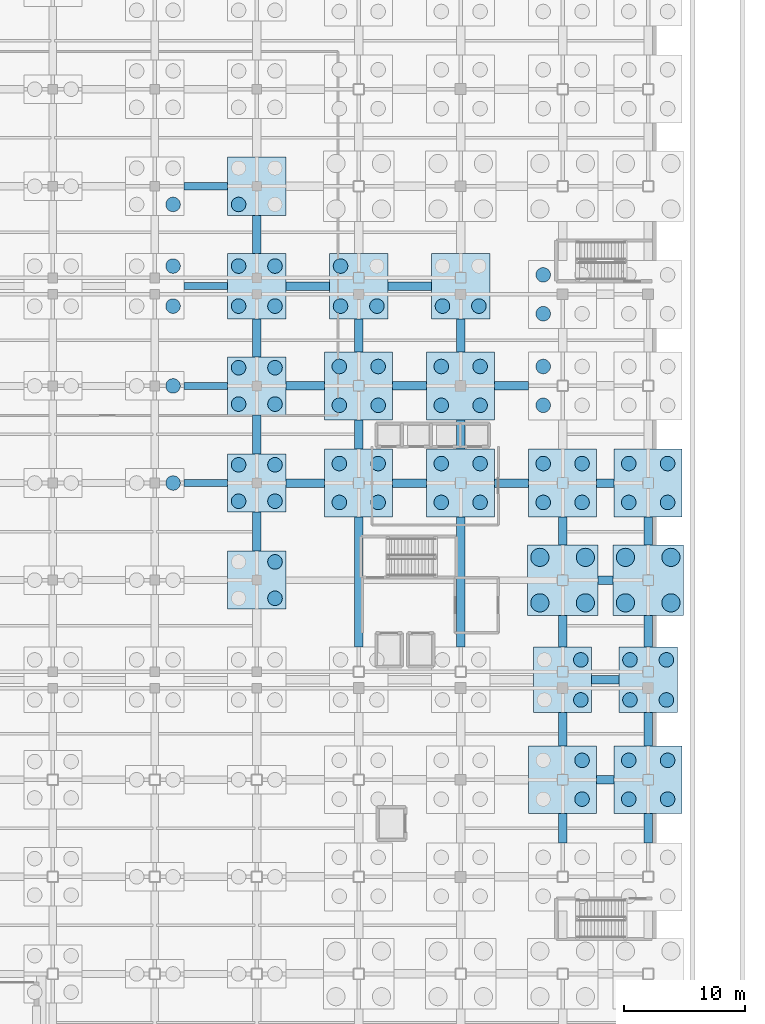
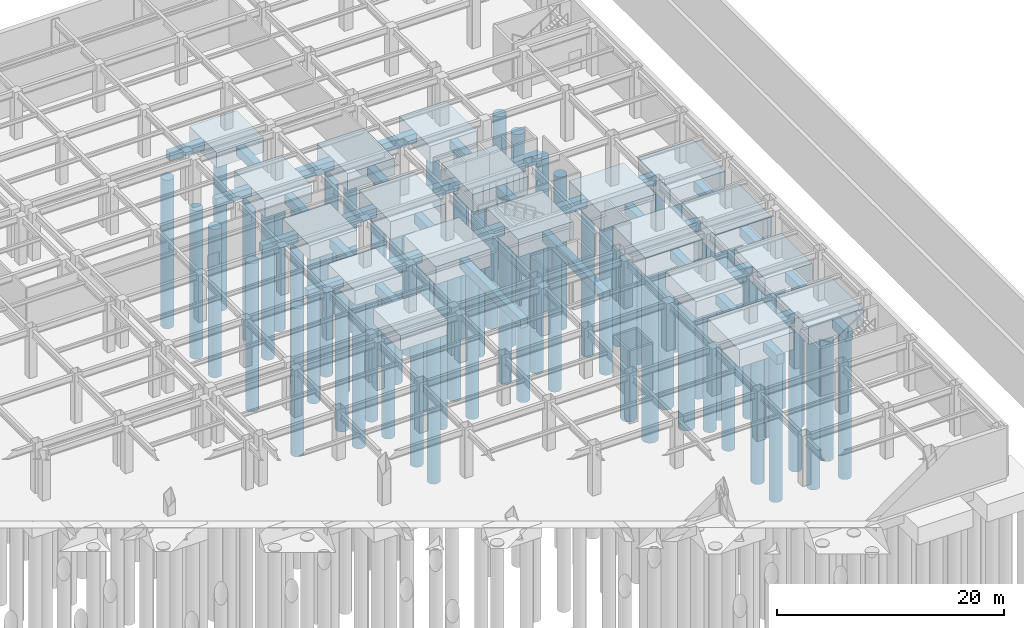
# One storey, part 12 of 55: 73 piles, 53 footings.
"""IFC4 building model written with IfcOpenShell, lengths in metres."""

from ifc_helpers import new_model, si_unit, direction, frame, origin, origin_2d, place, context, subcontext, project, spatial, rectangle, circle, extrude, material, layer, layer_set, material_profile, profile_set, type_object, element, save


model = new_model("IFC4")

# Units and contexts
model_context = context("Model", 3, precision=1e-05, world=origin(), true_north=direction((0.0, 1.0)))
body_context = subcontext(model_context, "Body", "Model", "MODEL_VIEW")
ifc_project = project(units=[si_unit("LENGTHUNIT", "METRE"), si_unit("AREAUNIT", "SQUARE_METRE"), si_unit("VOLUMEUNIT", "CUBIC_METRE"), si_unit("PLANEANGLEUNIT", "RADIAN"), si_unit("MASSUNIT", "GRAM", prefix="KILO")], contexts=[model_context])

# Site, building, storey
site_placement = place(None, origin())
site = spatial("IfcSite", under=ifc_project, at=site_placement, CompositionType="ELEMENT")
building_placement = place(site_placement, origin())
building = spatial("IfcBuilding", under=site, at=building_placement, Name="Kazehara Bluff Congress Hotel", CompositionType="ELEMENT")
storey_placement = place(building_placement, frame((0.0, 0.0, -5.39990234375)))
storey = spatial("IfcBuildingStorey", under=building, at=storey_placement, Name="B1", CompositionType="ELEMENT", Elevation=-5.39990234375)

# Footings
ifc_material_1 = material(Name="Concrete C36/45", Category="concrete")
ifc_material_profile_1 = material_profile(ifc_material_1, rectangle(XDim=0.60009765625, YDim=0.89990234375, at=origin_2d()))
ifc_profile_set_1 = profile_set([ifc_material_profile_1], Name="Concrete C36/45")
footing_type_1 = type_object("IfcFootingType", Name="TP-FB-01", PredefinedType="FOOTING_BEAM", material=ifc_profile_set_1)
for number, where, z_axis, x_axis, name in (
    (1, (129.300048828125, 56.449951171875, -0.9501953125), (1.0, 0.0, 0.0), (0.0, 1.0, 0.0), "Foundation tie beam FB-01 126"),
    (2, (129.300048828125, 64.449951171875, -0.9501953125), (1.0, 0.0, 0.0), (0.0, 1.0, 0.0), "Foundation tie beam FB-01 145"),
    (3, (129.300048828125, 72.675048828125, -0.9501953125), (1.0, 0.0, 0.0), (0.0, 1.0, 0.0), "Foundation tie beam FB-01 158"),
    (4, (129.300048828125, 80.89990234375, -0.9501953125), (1.0, 0.0, 0.0), (0.0, 1.0, 0.0), "Foundation tie beam FB-01 175"),
):
    element("IfcFooting", number, at=place(storey_placement, frame(where, z_axis=z_axis, x_axis=x_axis)), inside=storey, type_object=footing_type_1, Name=name, PredefinedType="FOOTING_BEAM", context=body_context, shape_type="SweptSolid", body=[
        extrude(rectangle(XDim=0.60009765625, YDim=0.89990234375, at=origin_2d()), origin(), (0.0, 0.0, 1.0), 3.599853515625),
    ])
ifc_material_2 = material(Name="Concrete C36/45", Category="concrete")
ifc_material_profile_2 = material_profile(ifc_material_2, rectangle(XDim=0.699951171875, YDim=1.0, at=origin_2d()))
ifc_profile_set_2 = profile_set([ifc_material_profile_2], Name="Concrete C36/45")
footing_type_2 = type_object("IfcFootingType", Name="TP-FB-02", PredefinedType="FOOTING_BEAM", material=ifc_profile_set_2)
footing_1_placement = place(storey_placement, frame((163.300048828125, 32.0, -1.0), z_axis=(1.0, 0.0, 0.0), x_axis=(0.0, 1.0, 0.0)))
element("IfcFooting", 5, at=footing_1_placement, inside=storey, type_object=footing_type_2, Name="Foundation tie beam FB-02 82", PredefinedType="FOOTING_BEAM", context=body_context, shape_type="SweptSolid", body=[
    extrude(rectangle(XDim=0.699951171875, YDim=1.0, at=origin_2d()), origin(), (0.0, 0.0, 1.0), 1.449951171875),
])
footing_2_placement = place(storey_placement, frame((162.89990234375, 40.22509765625, -1.0), z_axis=(1.0, 0.0, 0.0), x_axis=(0.0, 1.0, 0.0)))
element("IfcFooting", 6, at=footing_2_placement, inside=storey, type_object=footing_type_2, Name="Foundation tie beam FB-02 100", PredefinedType="FOOTING_BEAM", context=body_context, shape_type="SweptSolid", body=[
    extrude(rectangle(XDim=0.699951171875, YDim=1.0, at=origin_2d()), origin(), (0.0, 0.0, 1.0), 2.25),
])
footing_3_placement = place(storey_placement, frame((163.39990234375, 48.449951171875, -1.0), z_axis=(1.0, 0.0, 0.0), x_axis=(0.0, 1.0, 0.0)))
element("IfcFooting", 7, at=footing_3_placement, inside=storey, type_object=footing_type_2, Name="Foundation tie beam FB-02 114", PredefinedType="FOOTING_BEAM", context=body_context, shape_type="SweptSolid", body=[
    extrude(rectangle(XDim=0.699951171875, YDim=1.0, at=origin_2d()), origin(), (0.0, 0.0, 1.0), 1.25),
])
footing_4_placement = place(storey_placement, frame((137.699951171875, 56.449951171875, -1.0), z_axis=(1.0, 0.0, 0.0), x_axis=(0.0, 1.0, 0.0)))
element("IfcFooting", 8, at=footing_4_placement, inside=storey, type_object=footing_type_2, Name="Foundation tie beam FB-02 127", PredefinedType="FOOTING_BEAM", context=body_context, shape_type="SweptSolid", body=[
    extrude(rectangle(XDim=0.699951171875, YDim=1.0, at=origin_2d()), origin(), (0.0, 0.0, 1.0), 3.199951171875),
])
for number, where, z_axis, x_axis, name in (
    (9, (146.5, 56.449951171875, -1.0), (1.0, 0.0, 0.0), (0.0, 1.0, 0.0), "Foundation tie beam FB-02 128"),
    (10, (154.89990234375, 56.449951171875, -1.0), (1.0, 0.0, 0.0), (0.0, 1.0, 0.0), "Foundation tie beam FB-02 129"),
):
    element("IfcFooting", number, at=place(storey_placement, frame(where, z_axis=z_axis, x_axis=x_axis)), inside=storey, type_object=footing_type_2, Name=name, PredefinedType="FOOTING_BEAM", context=body_context, shape_type="SweptSolid", body=[
        extrude(rectangle(XDim=0.699951171875, YDim=1.0, at=origin_2d()), origin(), (0.0, 0.0, 1.0), 2.800048828125),
    ])
footing_5_placement = place(storey_placement, frame((163.300048828125, 56.449951171875, -1.0), z_axis=(1.0, 0.0, 0.0), x_axis=(0.0, 1.0, 0.0)))
element("IfcFooting", 11, at=footing_5_placement, inside=storey, type_object=footing_type_2, Name="Foundation tie beam FB-02 130", PredefinedType="FOOTING_BEAM", context=body_context, shape_type="SweptSolid", body=[
    extrude(rectangle(XDim=0.699951171875, YDim=1.0, at=origin_2d()), origin(), (0.0, 0.0, 1.0), 1.449951171875),
])
footing_6_placement = place(storey_placement, frame((137.699951171875, 64.449951171875, -1.0), z_axis=(1.0, 0.0, 0.0), x_axis=(0.0, 1.0, 0.0)))
element("IfcFooting", 12, at=footing_6_placement, inside=storey, type_object=footing_type_2, Name="Foundation tie beam FB-02 146", PredefinedType="FOOTING_BEAM", context=body_context, shape_type="SweptSolid", body=[
    extrude(rectangle(XDim=0.699951171875, YDim=1.0, at=origin_2d()), origin(), (0.0, 0.0, 1.0), 3.199951171875),
])
for number, where, z_axis, x_axis, name in (
    (13, (146.5, 64.449951171875, -1.0), (1.0, 0.0, 0.0), (0.0, 1.0, 0.0), "Foundation tie beam FB-02 147"),
    (14, (154.89990234375, 64.449951171875, -1.0), (1.0, 0.0, 0.0), (0.0, 1.0, 0.0), "Foundation tie beam FB-02 148"),
):
    element("IfcFooting", number, at=place(storey_placement, frame(where, z_axis=z_axis, x_axis=x_axis)), inside=storey, type_object=footing_type_2, Name=name, PredefinedType="FOOTING_BEAM", context=body_context, shape_type="SweptSolid", body=[
        extrude(rectangle(XDim=0.699951171875, YDim=1.0, at=origin_2d()), origin(), (0.0, 0.0, 1.0), 2.800048828125),
    ])
footing_7_placement = place(storey_placement, frame((137.699951171875, 72.675048828125, -1.0), z_axis=(1.0, 0.0, 0.0), x_axis=(0.0, 1.0, 0.0)))
element("IfcFooting", 15, at=footing_7_placement, inside=storey, type_object=footing_type_2, Name="Foundation tie beam FB-02 159", PredefinedType="FOOTING_BEAM", context=body_context, shape_type="SweptSolid", body=[
    extrude(rectangle(XDim=0.699951171875, YDim=1.0, at=origin_2d()), origin(), (0.0, 0.0, 1.0), 3.60009765625),
])
footing_8_placement = place(storey_placement, frame((146.10009765625, 72.675048828125, -1.0), z_axis=(1.0, 0.0, 0.0), x_axis=(0.0, 1.0, 0.0)))
element("IfcFooting", 16, at=footing_8_placement, inside=storey, type_object=footing_type_2, Name="Foundation tie beam FB-02 160", PredefinedType="FOOTING_BEAM", context=body_context, shape_type="SweptSolid", body=[
    extrude(rectangle(XDim=0.699951171875, YDim=1.0, at=origin_2d()), origin(), (0.0, 0.0, 1.0), 3.599853515625),
])
for number, where, z_axis, x_axis, name in (
    (17, (135.300048828125, 50.85009765625, -1.0), (0.0, 1.0, 0.0), (-1.0, 0.0, 0.0), "Foundation tie beam FB-02 441"),
    (18, (135.300048828125, 58.85009765625, -1.0), (0.0, 1.0, 0.0), (-1.0, 0.0, 0.0), "Foundation tie beam FB-02 442"),
):
    element("IfcFooting", number, at=place(storey_placement, frame(where, z_axis=z_axis, x_axis=x_axis)), inside=storey, type_object=footing_type_2, Name=name, PredefinedType="FOOTING_BEAM", context=body_context, shape_type="SweptSolid", body=[
        extrude(rectangle(XDim=0.699951171875, YDim=1.0, at=origin_2d()), origin(), (0.0, 0.0, 1.0), 3.199951171875),
    ])
for number, where, z_axis, x_axis, name in (
    (19, (135.300048828125, 66.85009765625, -1.0), (0.0, 1.0, 0.0), (-1.0, 0.0, 0.0), "Foundation tie beam FB-02 443"),
    (20, (135.300048828125, 75.375, -1.0), (0.0, 1.0, 0.0), (-1.0, 0.0, 0.0), "Foundation tie beam FB-02 444"),
):
    element("IfcFooting", number, at=place(storey_placement, frame(where, z_axis=z_axis, x_axis=x_axis)), inside=storey, type_object=footing_type_2, Name=name, PredefinedType="FOOTING_BEAM", context=body_context, shape_type="SweptSolid", body=[
        extrude(rectangle(XDim=0.699951171875, YDim=1.0, at=origin_2d()), origin(), (0.0, 0.0, 1.0), 3.125),
    ])
footing_9_placement = place(storey_placement, frame((143.699951171875, 42.925048828125, -1.0), z_axis=(0.0, 1.0, 0.0), x_axis=(-1.0, 0.0, 0.0)))
element("IfcFooting", 21, at=footing_9_placement, inside=storey, type_object=footing_type_2, Name="Foundation tie beam FB-02 452", PredefinedType="FOOTING_BEAM", context=body_context, shape_type="SweptSolid", body=[
    extrude(rectangle(XDim=0.699951171875, YDim=1.0, at=origin_2d()), origin(), (0.0, 0.0, 1.0), 10.724853515625),
])
footing_10_placement = place(storey_placement, frame((143.699951171875, 59.25, -1.0), z_axis=(0.0, 1.0, 0.0), x_axis=(-1.0, 0.0, 0.0)))
element("IfcFooting", 22, at=footing_10_placement, inside=storey, type_object=footing_type_2, Name="Foundation tie beam FB-02 453", PredefinedType="FOOTING_BEAM", context=body_context, shape_type="SweptSolid", body=[
    extrude(rectangle(XDim=0.699951171875, YDim=1.0, at=origin_2d()), origin(), (0.0, 0.0, 1.0), 2.39990234375),
])
footing_11_placement = place(storey_placement, frame((143.699951171875, 67.25, -1.0), z_axis=(0.0, 1.0, 0.0), x_axis=(-1.0, 0.0, 0.0)))
element("IfcFooting", 23, at=footing_11_placement, inside=storey, type_object=footing_type_2, Name="Foundation tie beam FB-02 454", PredefinedType="FOOTING_BEAM", context=body_context, shape_type="SweptSolid", body=[
    extrude(rectangle(XDim=0.699951171875, YDim=1.0, at=origin_2d()), origin(), (0.0, 0.0, 1.0), 2.72509765625),
])
footing_12_placement = place(storey_placement, frame((152.10009765625, 42.925048828125, -1.0), z_axis=(0.0, 1.0, 0.0), x_axis=(-1.0, 0.0, 0.0)))
element("IfcFooting", 24, at=footing_12_placement, inside=storey, type_object=footing_type_2, Name="Foundation tie beam FB-02 465", PredefinedType="FOOTING_BEAM", context=body_context, shape_type="SweptSolid", body=[
    extrude(rectangle(XDim=0.699951171875, YDim=1.0, at=origin_2d()), origin(), (0.0, 0.0, 1.0), 10.724853515625),
])
footing_13_placement = place(storey_placement, frame((152.10009765625, 59.25, -1.0), z_axis=(0.0, 1.0, 0.0), x_axis=(-1.0, 0.0, 0.0)))
element("IfcFooting", 25, at=footing_13_placement, inside=storey, type_object=footing_type_2, Name="Foundation tie beam FB-02 466", PredefinedType="FOOTING_BEAM", context=body_context, shape_type="SweptSolid", body=[
    extrude(rectangle(XDim=0.699951171875, YDim=1.0, at=origin_2d()), origin(), (0.0, 0.0, 1.0), 2.39990234375),
])
footing_14_placement = place(storey_placement, frame((152.10009765625, 67.25, -1.0), z_axis=(0.0, 1.0, 0.0), x_axis=(-1.0, 0.0, 0.0)))
element("IfcFooting", 26, at=footing_14_placement, inside=storey, type_object=footing_type_2, Name="Foundation tie beam FB-02 467", PredefinedType="FOOTING_BEAM", context=body_context, shape_type="SweptSolid", body=[
    extrude(rectangle(XDim=0.699951171875, YDim=1.0, at=origin_2d()), origin(), (0.0, 0.0, 1.0), 2.72509765625),
])
footing_15_placement = place(storey_placement, frame((160.5, 26.800048828125, -1.0), z_axis=(0.0, 1.0, 0.0), x_axis=(-1.0, 0.0, 0.0)))
element("IfcFooting", 27, at=footing_15_placement, inside=storey, type_object=footing_type_2, Name="Foundation tie beam FB-02 476", PredefinedType="FOOTING_BEAM", context=body_context, shape_type="SweptSolid", body=[
    extrude(rectangle(XDim=0.699951171875, YDim=1.0, at=origin_2d()), origin(), (0.0, 0.0, 1.0), 2.39990234375),
])
footing_16_placement = place(storey_placement, frame((160.5, 34.800048828125, -1.0), z_axis=(0.0, 1.0, 0.0), x_axis=(-1.0, 0.0, 0.0)))
element("IfcFooting", 28, at=footing_16_placement, inside=storey, type_object=footing_type_2, Name="Foundation tie beam FB-02 477", PredefinedType="FOOTING_BEAM", context=body_context, shape_type="SweptSolid", body=[
    extrude(rectangle(XDim=0.699951171875, YDim=1.0, at=origin_2d()), origin(), (0.0, 0.0, 1.0), 2.724853515625),
])
footing_17_placement = place(storey_placement, frame((160.5, 42.925048828125, -1.0), z_axis=(0.0, 1.0, 0.0), x_axis=(-1.0, 0.0, 0.0)))
element("IfcFooting", 29, at=footing_17_placement, inside=storey, type_object=footing_type_2, Name="Foundation tie beam FB-02 478", PredefinedType="FOOTING_BEAM", context=body_context, shape_type="SweptSolid", body=[
    extrude(rectangle(XDim=0.699951171875, YDim=1.0, at=origin_2d()), origin(), (0.0, 0.0, 1.0), 2.625),
])
footing_18_placement = place(storey_placement, frame((160.5, 51.35009765625, -1.0), z_axis=(0.0, 1.0, 0.0), x_axis=(-1.0, 0.0, 0.0)))
element("IfcFooting", 30, at=footing_18_placement, inside=storey, type_object=footing_type_2, Name="Foundation tie beam FB-02 479", PredefinedType="FOOTING_BEAM", context=body_context, shape_type="SweptSolid", body=[
    extrude(rectangle(XDim=0.699951171875, YDim=1.0, at=origin_2d()), origin(), (0.0, 0.0, 1.0), 2.2998046875),
])
footing_19_placement = place(storey_placement, frame((167.550048828125, 26.800048828125, -1.0), z_axis=(0.0, 1.0, 0.0), x_axis=(-1.0, 0.0, 0.0)))
element("IfcFooting", 31, at=footing_19_placement, inside=storey, type_object=footing_type_2, Name="Foundation tie beam FB-02 490", PredefinedType="FOOTING_BEAM", context=body_context, shape_type="SweptSolid", body=[
    extrude(rectangle(XDim=0.699951171875, YDim=1.0, at=origin_2d()), origin(), (0.0, 0.0, 1.0), 2.39990234375),
])
footing_20_placement = place(storey_placement, frame((167.550048828125, 34.800048828125, -1.0), z_axis=(0.0, 1.0, 0.0), x_axis=(-1.0, 0.0, 0.0)))
element("IfcFooting", 32, at=footing_20_placement, inside=storey, type_object=footing_type_2, Name="Foundation tie beam FB-02 491", PredefinedType="FOOTING_BEAM", context=body_context, shape_type="SweptSolid", body=[
    extrude(rectangle(XDim=0.699951171875, YDim=1.0, at=origin_2d()), origin(), (0.0, 0.0, 1.0), 2.724853515625),
])
footing_21_placement = place(storey_placement, frame((167.550048828125, 42.925048828125, -1.0), z_axis=(0.0, 1.0, 0.0), x_axis=(-1.0, 0.0, 0.0)))
element("IfcFooting", 33, at=footing_21_placement, inside=storey, type_object=footing_type_2, Name="Foundation tie beam FB-02 492", PredefinedType="FOOTING_BEAM", context=body_context, shape_type="SweptSolid", body=[
    extrude(rectangle(XDim=0.699951171875, YDim=1.0, at=origin_2d()), origin(), (0.0, 0.0, 1.0), 2.625),
])
footing_22_placement = place(storey_placement, frame((167.550048828125, 51.35009765625, -1.0), z_axis=(0.0, 1.0, 0.0), x_axis=(-1.0, 0.0, 0.0)))
element("IfcFooting", 34, at=footing_22_placement, inside=storey, type_object=footing_type_2, Name="Foundation tie beam FB-02 493", PredefinedType="FOOTING_BEAM", context=body_context, shape_type="SweptSolid", body=[
    extrude(rectangle(XDim=0.699951171875, YDim=1.0, at=origin_2d()), origin(), (0.0, 0.0, 1.0), 2.2998046875),
])
ifc_material_3 = material(Name="Concrete C36/45", Category="concrete")
ifc_layer_1 = layer(ifc_material_3, 1.60009765625)
ifc_layer_set_1 = layer_set([ifc_layer_1], Name="Concrete C36/45")
footing_type_3 = type_object("IfcFootingType", Name="TP-PC-04", PredefinedType="PILE_CAP", material=ifc_layer_set_1)
for number, where, z_axis, x_axis, name in (
    (35, (135.300048828125, 48.449951171875, -2.10009765625), (0.0, 0.0, 1.0), (1.0, 0.0, 0.0), "Pile cap PC-04 227"),
    (36, (135.300048828125, 56.449951171875, -2.10009765625), (0.0, 0.0, 1.0), (1.0, 0.0, 0.0), "Pile cap PC-04 228"),
    (37, (135.300048828125, 64.449951171875, -2.10009765625), (0.0, 0.0, 1.0), (1.0, 0.0, 0.0), "Pile cap PC-04 229"),
    (38, (135.300048828125, 80.89990234375, -2.10009765625), (0.0, 0.0, 1.0), (1.0, 0.0, 0.0), "Pile cap PC-04 231"),
):
    element("IfcFooting", number, at=place(storey_placement, frame(where, z_axis=z_axis, x_axis=x_axis)), inside=storey, type_object=footing_type_3, Name=name, PredefinedType="PILE_CAP", context=body_context, shape_type="SweptSolid", body=[
        extrude(rectangle(XDim=4.800048828125, YDim=4.800048828125, at=origin_2d()), origin(), (0.0, 0.0, 1.0), 1.60009765625),
    ])
ifc_material_4 = material(Name="Concrete C36/45", Category="concrete")
ifc_layer_2 = layer(ifc_material_4, 1.800048828125)
ifc_layer_set_2 = layer_set([ifc_layer_2], Name="Concrete C36/45")
footing_type_4 = type_object("IfcFootingType", Name="TP-PC-08", PredefinedType="PILE_CAP", material=ifc_layer_set_2)
for number, where, z_axis, x_axis, name in (
    (39, (135.300048828125, 72.675048828125, -2.30029296875), (0.0, 0.0, 1.0), (1.0, 0.0, 0.0), "Pile cap PC-08 230"),
    (40, (143.699951171875, 72.675048828125, -2.30029296875), (0.0, 0.0, 1.0), (1.0, 0.0, 0.0), "Pile cap PC-08 242"),
    (41, (152.10009765625, 72.675048828125, -2.30029296875), (0.0, 0.0, 1.0), (1.0, 0.0, 0.0), "Pile cap PC-08 257"),
    (42, (160.5, 40.22509765625, -2.30029296875), (0.0, 0.0, 1.0), (1.0, 0.0, 0.0), "Pile cap PC-08 269"),
    (43, (167.550048828125, 40.22509765625, -2.30029296875), (0.0, 0.0, 1.0), (1.0, 0.0, 0.0), "Pile cap PC-08 285"),
):
    element("IfcFooting", number, at=place(storey_placement, frame(where, z_axis=z_axis, x_axis=x_axis)), inside=storey, type_object=footing_type_4, Name=name, PredefinedType="PILE_CAP", context=body_context, shape_type="SweptSolid", body=[
        extrude(rectangle(XDim=4.800048828125, YDim=5.39990234375, at=origin_2d()), origin(), (0.0, 0.0, 1.0), 1.800048828125),
    ])
ifc_material_5 = material(Name="Concrete C36/45", Category="concrete")
ifc_layer_3 = layer(ifc_material_5, 1.89990234375)
ifc_layer_set_3 = layer_set([ifc_layer_3], Name="Concrete C36/45")
footing_type_5 = type_object("IfcFootingType", Name="TP-PC-09", PredefinedType="PILE_CAP", material=ifc_layer_set_3)
for number, where, z_axis, x_axis, name in (
    (44, (143.699951171875, 56.449951171875, -2.400146484375), (0.0, 0.0, 1.0), (1.0, 0.0, 0.0), "Pile cap PC-09 240"),
    (45, (143.699951171875, 64.449951171875, -2.400146484375), (0.0, 0.0, 1.0), (1.0, 0.0, 0.0), "Pile cap PC-09 241"),
    (46, (152.10009765625, 56.449951171875, -2.400146484375), (0.0, 0.0, 1.0), (1.0, 0.0, 0.0), "Pile cap PC-09 255"),
    (47, (152.10009765625, 64.449951171875, -2.400146484375), (0.0, 0.0, 1.0), (1.0, 0.0, 0.0), "Pile cap PC-09 256"),
    (48, (160.5, 32.0, -2.400146484375), (0.0, 0.0, 1.0), (1.0, 0.0, 0.0), "Pile cap PC-09 268"),
    (49, (160.5, 56.449951171875, -2.400146484375), (0.0, 0.0, 1.0), (1.0, 0.0, 0.0), "Pile cap PC-09 271"),
    (50, (167.550048828125, 32.0, -2.400146484375), (0.0, 0.0, 1.0), (1.0, 0.0, 0.0), "Pile cap PC-09 284"),
    (51, (167.550048828125, 56.449951171875, -2.400146484375), (0.0, 0.0, 1.0), (1.0, 0.0, 0.0), "Pile cap PC-09 287"),
):
    element("IfcFooting", number, at=place(storey_placement, frame(where, z_axis=z_axis, x_axis=x_axis)), inside=storey, type_object=footing_type_5, Name=name, PredefinedType="PILE_CAP", context=body_context, shape_type="SweptSolid", body=[
        extrude(rectangle(XDim=5.60009765625, YDim=5.60009765625, at=origin_2d()), origin(), (0.0, 0.0, 1.0), 1.89990234375),
    ])
ifc_material_6 = material(Name="Concrete C36/45", Category="concrete")
ifc_layer_4 = layer(ifc_material_6, 2.0)
ifc_layer_set_4 = layer_set([ifc_layer_4], Name="Concrete C36/45")
footing_type_6 = type_object("IfcFootingType", Name="TP-PC-10", PredefinedType="PILE_CAP", material=ifc_layer_set_4)
for number, where, z_axis, x_axis, name in (
    (52, (160.5, 48.449951171875, -2.5), (0.0, 0.0, 1.0), (1.0, 0.0, 0.0), "Pile cap PC-10 270"),
    (53, (167.550048828125, 48.449951171875, -2.5), (0.0, 0.0, 1.0), (1.0, 0.0, 0.0), "Pile cap PC-10 286"),
):
    element("IfcFooting", number, at=place(storey_placement, frame(where, z_axis=z_axis, x_axis=x_axis)), inside=storey, type_object=footing_type_6, Name=name, PredefinedType="PILE_CAP", context=body_context, shape_type="SweptSolid", body=[
        extrude(rectangle(XDim=5.800048828125, YDim=5.800048828125, at=origin_2d()), origin(), (0.0, 0.0, 1.0), 2.0),
    ])

# Piles
ifc_material_7 = material(Name="Concrete C36/45", Category="concrete")
ifc_material_profile_3 = material_profile(ifc_material_7, circle(Radius=0.60009765625, at=origin_2d()))
ifc_profile_set_3 = profile_set([ifc_material_profile_3], Name="Concrete C36/45")
pile_type_1 = type_object("IfcPileType", Name="TP-PILE-1200", PredefinedType="BORED", material=ifc_profile_set_3)
for number, where, z_axis, x_axis, name in (
    (54, (128.39990234375, 56.449951171875, -1.900146484375), (0.0, 0.0, -1.0), (1.0, 0.0, 0.0), "Bored pile FND-PC-216-P2"),
    (55, (128.39990234375, 64.449951171875, -1.900146484375), (0.0, 0.0, -1.0), (1.0, 0.0, 0.0), "Bored pile FND-PC-217-P2"),
    (56, (128.39990234375, 71.02490234375, -2.2001953125), (0.0, 0.0, -1.0), (1.0, 0.0, 0.0), "Bored pile FND-PC-218-P2"),
    (57, (128.39990234375, 74.324951171875, -2.2001953125), (0.0, 0.0, -1.0), (1.0, 0.0, 0.0), "Bored pile FND-PC-218-P4"),
    (58, (128.39990234375, 79.39990234375, -2.0), (0.0, 0.0, -1.0), (1.0, 0.0, 0.0), "Bored pile FND-PC-219-P2"),
    (59, (136.800048828125, 46.949951171875, -2.0), (0.0, 0.0, -1.0), (1.0, 0.0, 0.0), "Bored pile FND-PC-227-P2"),
    (60, (136.800048828125, 49.949951171875, -2.0), (0.0, 0.0, -1.0), (1.0, 0.0, 0.0), "Bored pile FND-PC-227-P4"),
    (61, (133.800048828125, 54.949951171875, -2.0), (0.0, 0.0, -1.0), (1.0, 0.0, 0.0), "Bored pile FND-PC-228-P1"),
    (62, (136.800048828125, 54.949951171875, -2.0), (0.0, 0.0, -1.0), (1.0, 0.0, 0.0), "Bored pile FND-PC-228-P2"),
    (63, (133.800048828125, 57.949951171875, -2.0), (0.0, 0.0, -1.0), (1.0, 0.0, 0.0), "Bored pile FND-PC-228-P3"),
    (64, (136.800048828125, 57.949951171875, -2.0), (0.0, 0.0, -1.0), (1.0, 0.0, 0.0), "Bored pile FND-PC-228-P4"),
    (65, (133.800048828125, 62.949951171875, -2.0), (0.0, 0.0, -1.0), (1.0, 0.0, 0.0), "Bored pile FND-PC-229-P1"),
    (66, (136.800048828125, 62.949951171875, -2.0), (0.0, 0.0, -1.0), (1.0, 0.0, 0.0), "Bored pile FND-PC-229-P2"),
    (67, (133.800048828125, 65.949951171875, -2.0), (0.0, 0.0, -1.0), (1.0, 0.0, 0.0), "Bored pile FND-PC-229-P3"),
    (68, (136.800048828125, 65.949951171875, -2.0), (0.0, 0.0, -1.0), (1.0, 0.0, 0.0), "Bored pile FND-PC-229-P4"),
    (69, (133.800048828125, 71.02490234375, -2.2001953125), (0.0, 0.0, -1.0), (1.0, 0.0, 0.0), "Bored pile FND-PC-230-P1"),
    (70, (136.800048828125, 71.02490234375, -2.2001953125), (0.0, 0.0, -1.0), (1.0, 0.0, 0.0), "Bored pile FND-PC-230-P2"),
    (71, (133.800048828125, 74.324951171875, -2.2001953125), (0.0, 0.0, -1.0), (1.0, 0.0, 0.0), "Bored pile FND-PC-230-P3"),
    (72, (136.800048828125, 74.324951171875, -2.2001953125), (0.0, 0.0, -1.0), (1.0, 0.0, 0.0), "Bored pile FND-PC-230-P4"),
    (73, (133.800048828125, 79.39990234375, -2.0), (0.0, 0.0, -1.0), (1.0, 0.0, 0.0), "Bored pile FND-PC-231-P1"),
):
    element("IfcPile", number, at=place(storey_placement, frame(where, z_axis=z_axis, x_axis=x_axis)), inside=storey, type_object=pile_type_1, Name=name, PredefinedType="BORED", context=body_context, shape_type="SweptSolid", body=[
        extrude(circle(Radius=0.60009765625, at=origin_2d()), origin(), (0.0, 0.0, 1.0), 16.0),
    ])
for number, where, z_axis, x_axis, name in (
    (74, (142.10009765625, 54.85009765625, -2.300048828125), (0.0, 0.0, -1.0), (1.0, 0.0, 0.0), "Bored pile FND-PC-240-P1"),
    (75, (145.300048828125, 54.85009765625, -2.300048828125), (0.0, 0.0, -1.0), (1.0, 0.0, 0.0), "Bored pile FND-PC-240-P2"),
    (76, (142.10009765625, 58.050048828125, -2.300048828125), (0.0, 0.0, -1.0), (1.0, 0.0, 0.0), "Bored pile FND-PC-240-P3"),
    (77, (145.300048828125, 58.050048828125, -2.300048828125), (0.0, 0.0, -1.0), (1.0, 0.0, 0.0), "Bored pile FND-PC-240-P4"),
    (78, (142.10009765625, 62.85009765625, -2.300048828125), (0.0, 0.0, -1.0), (1.0, 0.0, 0.0), "Bored pile FND-PC-241-P1"),
    (79, (145.300048828125, 62.85009765625, -2.300048828125), (0.0, 0.0, -1.0), (1.0, 0.0, 0.0), "Bored pile FND-PC-241-P2"),
    (80, (142.10009765625, 66.050048828125, -2.300048828125), (0.0, 0.0, -1.0), (1.0, 0.0, 0.0), "Bored pile FND-PC-241-P3"),
    (81, (145.300048828125, 66.050048828125, -2.300048828125), (0.0, 0.0, -1.0), (1.0, 0.0, 0.0), "Bored pile FND-PC-241-P4"),
):
    element("IfcPile", number, at=place(storey_placement, frame(where, z_axis=z_axis, x_axis=x_axis)), inside=storey, type_object=pile_type_1, Name=name, PredefinedType="BORED", context=body_context, shape_type="SweptSolid", body=[
        extrude(circle(Radius=0.60009765625, at=origin_2d()), origin(), (0.0, 0.0, 1.0), 16.5),
    ])
for number, where, z_axis, x_axis, name in (
    (82, (142.199951171875, 71.02490234375, -2.2001953125), (0.0, 0.0, -1.0), (1.0, 0.0, 0.0), "Bored pile FND-PC-242-P1"),
    (83, (145.199951171875, 71.02490234375, -2.2001953125), (0.0, 0.0, -1.0), (1.0, 0.0, 0.0), "Bored pile FND-PC-242-P2"),
    (84, (142.199951171875, 74.324951171875, -2.2001953125), (0.0, 0.0, -1.0), (1.0, 0.0, 0.0), "Bored pile FND-PC-242-P3"),
):
    element("IfcPile", number, at=place(storey_placement, frame(where, z_axis=z_axis, x_axis=x_axis)), inside=storey, type_object=pile_type_1, Name=name, PredefinedType="BORED", context=body_context, shape_type="SweptSolid", body=[
        extrude(circle(Radius=0.60009765625, at=origin_2d()), origin(), (0.0, 0.0, 1.0), 16.0),
    ])
for number, where, z_axis, x_axis, name in (
    (85, (150.5, 54.85009765625, -2.300048828125), (0.0, 0.0, -1.0), (1.0, 0.0, 0.0), "Bored pile FND-PC-255-P1"),
    (86, (153.699951171875, 54.85009765625, -2.300048828125), (0.0, 0.0, -1.0), (1.0, 0.0, 0.0), "Bored pile FND-PC-255-P2"),
    (87, (150.5, 58.050048828125, -2.300048828125), (0.0, 0.0, -1.0), (1.0, 0.0, 0.0), "Bored pile FND-PC-255-P3"),
    (88, (153.699951171875, 58.050048828125, -2.300048828125), (0.0, 0.0, -1.0), (1.0, 0.0, 0.0), "Bored pile FND-PC-255-P4"),
    (89, (150.5, 62.85009765625, -2.300048828125), (0.0, 0.0, -1.0), (1.0, 0.0, 0.0), "Bored pile FND-PC-256-P1"),
    (90, (153.699951171875, 62.85009765625, -2.300048828125), (0.0, 0.0, -1.0), (1.0, 0.0, 0.0), "Bored pile FND-PC-256-P2"),
    (91, (150.5, 66.050048828125, -2.300048828125), (0.0, 0.0, -1.0), (1.0, 0.0, 0.0), "Bored pile FND-PC-256-P3"),
    (92, (153.699951171875, 66.050048828125, -2.300048828125), (0.0, 0.0, -1.0), (1.0, 0.0, 0.0), "Bored pile FND-PC-256-P4"),
):
    element("IfcPile", number, at=place(storey_placement, frame(where, z_axis=z_axis, x_axis=x_axis)), inside=storey, type_object=pile_type_1, Name=name, PredefinedType="BORED", context=body_context, shape_type="SweptSolid", body=[
        extrude(circle(Radius=0.60009765625, at=origin_2d()), origin(), (0.0, 0.0, 1.0), 16.5),
    ])
for number, where, z_axis, x_axis, name in (
    (93, (150.60009765625, 71.02490234375, -2.2001953125), (0.0, 0.0, -1.0), (1.0, 0.0, 0.0), "Bored pile FND-PC-257-P1"),
    (94, (153.60009765625, 71.02490234375, -2.2001953125), (0.0, 0.0, -1.0), (1.0, 0.0, 0.0), "Bored pile FND-PC-257-P2"),
):
    element("IfcPile", number, at=place(storey_placement, frame(where, z_axis=z_axis, x_axis=x_axis)), inside=storey, type_object=pile_type_1, Name=name, PredefinedType="BORED", context=body_context, shape_type="SweptSolid", body=[
        extrude(circle(Radius=0.60009765625, at=origin_2d()), origin(), (0.0, 0.0, 1.0), 16.0),
    ])
for number, where, z_axis, x_axis, name in (
    (95, (162.10009765625, 30.39990234375, -2.300048828125), (0.0, 0.0, -1.0), (1.0, 0.0, 0.0), "Bored pile FND-PC-268-P2"),
    (96, (162.10009765625, 33.60009765625, -2.300048828125), (0.0, 0.0, -1.0), (1.0, 0.0, 0.0), "Bored pile FND-PC-268-P4"),
):
    element("IfcPile", number, at=place(storey_placement, frame(where, z_axis=z_axis, x_axis=x_axis)), inside=storey, type_object=pile_type_1, Name=name, PredefinedType="BORED", context=body_context, shape_type="SweptSolid", body=[
        extrude(circle(Radius=0.60009765625, at=origin_2d()), origin(), (0.0, 0.0, 1.0), 16.5),
    ])
for number, where, z_axis, x_axis, name in (
    (97, (162.0, 38.574951171875, -2.2001953125), (0.0, 0.0, -1.0), (1.0, 0.0, 0.0), "Bored pile FND-PC-269-P2"),
    (98, (162.0, 41.875, -2.2001953125), (0.0, 0.0, -1.0), (1.0, 0.0, 0.0), "Bored pile FND-PC-269-P4"),
):
    element("IfcPile", number, at=place(storey_placement, frame(where, z_axis=z_axis, x_axis=x_axis)), inside=storey, type_object=pile_type_1, Name=name, PredefinedType="BORED", context=body_context, shape_type="SweptSolid", body=[
        extrude(circle(Radius=0.60009765625, at=origin_2d()), origin(), (0.0, 0.0, 1.0), 16.0),
    ])
for number, where, z_axis, x_axis, name in (
    (99, (158.89990234375, 54.85009765625, -2.300048828125), (0.0, 0.0, -1.0), (1.0, 0.0, 0.0), "Bored pile FND-PC-271-P1"),
    (100, (162.10009765625, 54.85009765625, -2.300048828125), (0.0, 0.0, -1.0), (1.0, 0.0, 0.0), "Bored pile FND-PC-271-P2"),
    (101, (158.89990234375, 58.050048828125, -2.300048828125), (0.0, 0.0, -1.0), (1.0, 0.0, 0.0), "Bored pile FND-PC-271-P3"),
    (102, (162.10009765625, 58.050048828125, -2.300048828125), (0.0, 0.0, -1.0), (1.0, 0.0, 0.0), "Bored pile FND-PC-271-P4"),
    (103, (158.89990234375, 62.85009765625, -2.300048828125), (0.0, 0.0, -1.0), (1.0, 0.0, 0.0), "Bored pile FND-PC-272-P1"),
    (104, (158.89990234375, 66.050048828125, -2.300048828125), (0.0, 0.0, -1.0), (1.0, 0.0, 0.0), "Bored pile FND-PC-272-P3"),
    (105, (158.89990234375, 70.39990234375, -2.300048828125), (0.0, 0.0, -1.0), (1.0, 0.0, 0.0), "Bored pile FND-PC-273-P1"),
    (106, (158.89990234375, 73.60009765625, -2.300048828125), (0.0, 0.0, -1.0), (1.0, 0.0, 0.0), "Bored pile FND-PC-273-P3"),
    (107, (165.949951171875, 30.39990234375, -2.300048828125), (0.0, 0.0, -1.0), (1.0, 0.0, 0.0), "Bored pile FND-PC-284-P1"),
    (108, (169.14990234375, 30.39990234375, -2.300048828125), (0.0, 0.0, -1.0), (1.0, 0.0, 0.0), "Bored pile FND-PC-284-P2"),
    (109, (165.949951171875, 33.60009765625, -2.300048828125), (0.0, 0.0, -1.0), (1.0, 0.0, 0.0), "Bored pile FND-PC-284-P3"),
    (110, (169.14990234375, 33.60009765625, -2.300048828125), (0.0, 0.0, -1.0), (1.0, 0.0, 0.0), "Bored pile FND-PC-284-P4"),
):
    element("IfcPile", number, at=place(storey_placement, frame(where, z_axis=z_axis, x_axis=x_axis)), inside=storey, type_object=pile_type_1, Name=name, PredefinedType="BORED", context=body_context, shape_type="SweptSolid", body=[
        extrude(circle(Radius=0.60009765625, at=origin_2d()), origin(), (0.0, 0.0, 1.0), 16.5),
    ])
for number, where, z_axis, x_axis, name in (
    (111, (166.050048828125, 38.574951171875, -2.2001953125), (0.0, 0.0, -1.0), (1.0, 0.0, 0.0), "Bored pile FND-PC-285-P1"),
    (112, (169.050048828125, 38.574951171875, -2.2001953125), (0.0, 0.0, -1.0), (1.0, 0.0, 0.0), "Bored pile FND-PC-285-P2"),
    (113, (166.050048828125, 41.875, -2.2001953125), (0.0, 0.0, -1.0), (1.0, 0.0, 0.0), "Bored pile FND-PC-285-P3"),
    (114, (169.050048828125, 41.875, -2.2001953125), (0.0, 0.0, -1.0), (1.0, 0.0, 0.0), "Bored pile FND-PC-285-P4"),
):
    element("IfcPile", number, at=place(storey_placement, frame(where, z_axis=z_axis, x_axis=x_axis)), inside=storey, type_object=pile_type_1, Name=name, PredefinedType="BORED", context=body_context, shape_type="SweptSolid", body=[
        extrude(circle(Radius=0.60009765625, at=origin_2d()), origin(), (0.0, 0.0, 1.0), 16.0),
    ])
for number, where, z_axis, x_axis, name in (
    (115, (165.949951171875, 54.85009765625, -2.300048828125), (0.0, 0.0, -1.0), (1.0, 0.0, 0.0), "Bored pile FND-PC-287-P1"),
    (116, (169.14990234375, 54.85009765625, -2.300048828125), (0.0, 0.0, -1.0), (1.0, 0.0, 0.0), "Bored pile FND-PC-287-P2"),
    (117, (165.949951171875, 58.050048828125, -2.300048828125), (0.0, 0.0, -1.0), (1.0, 0.0, 0.0), "Bored pile FND-PC-287-P3"),
    (118, (169.14990234375, 58.050048828125, -2.300048828125), (0.0, 0.0, -1.0), (1.0, 0.0, 0.0), "Bored pile FND-PC-287-P4"),
):
    element("IfcPile", number, at=place(storey_placement, frame(where, z_axis=z_axis, x_axis=x_axis)), inside=storey, type_object=pile_type_1, Name=name, PredefinedType="BORED", context=body_context, shape_type="SweptSolid", body=[
        extrude(circle(Radius=0.60009765625, at=origin_2d()), origin(), (0.0, 0.0, 1.0), 16.5),
    ])
ifc_material_8 = material(Name="Concrete C36/45", Category="concrete")
ifc_material_profile_4 = material_profile(ifc_material_8, circle(Radius=0.75, at=origin_2d()))
ifc_profile_set_4 = profile_set([ifc_material_profile_4], Name="Concrete C36/45")
pile_type_2 = type_object("IfcPileType", Name="TP-PILE-1500", PredefinedType="BORED", material=ifc_profile_set_4)
for number, where, z_axis, x_axis, name in (
    (119, (158.625, 46.574951171875, -2.400146484375), (0.0, 0.0, -1.0), (1.0, 0.0, 0.0), "Bored pile FND-PC-270-P1"),
    (120, (162.375, 46.574951171875, -2.400146484375), (0.0, 0.0, -1.0), (1.0, 0.0, 0.0), "Bored pile FND-PC-270-P2"),
    (121, (158.625, 50.324951171875, -2.400146484375), (0.0, 0.0, -1.0), (1.0, 0.0, 0.0), "Bored pile FND-PC-270-P3"),
    (122, (162.375, 50.324951171875, -2.400146484375), (0.0, 0.0, -1.0), (1.0, 0.0, 0.0), "Bored pile FND-PC-270-P4"),
    (123, (165.675048828125, 46.574951171875, -2.400146484375), (0.0, 0.0, -1.0), (1.0, 0.0, 0.0), "Bored pile FND-PC-286-P1"),
    (124, (169.425048828125, 46.574951171875, -2.400146484375), (0.0, 0.0, -1.0), (1.0, 0.0, 0.0), "Bored pile FND-PC-286-P2"),
    (125, (165.675048828125, 50.324951171875, -2.400146484375), (0.0, 0.0, -1.0), (1.0, 0.0, 0.0), "Bored pile FND-PC-286-P3"),
    (126, (169.425048828125, 50.324951171875, -2.400146484375), (0.0, 0.0, -1.0), (1.0, 0.0, 0.0), "Bored pile FND-PC-286-P4"),
):
    element("IfcPile", number, at=place(storey_placement, frame(where, z_axis=z_axis, x_axis=x_axis)), inside=storey, type_object=pile_type_2, Name=name, PredefinedType="BORED", context=body_context, shape_type="SweptSolid", body=[
        extrude(circle(Radius=0.75, at=origin_2d()), origin(), (0.0, 0.0, 1.0), 18.5),
    ])

save(model, "model.ifc")
